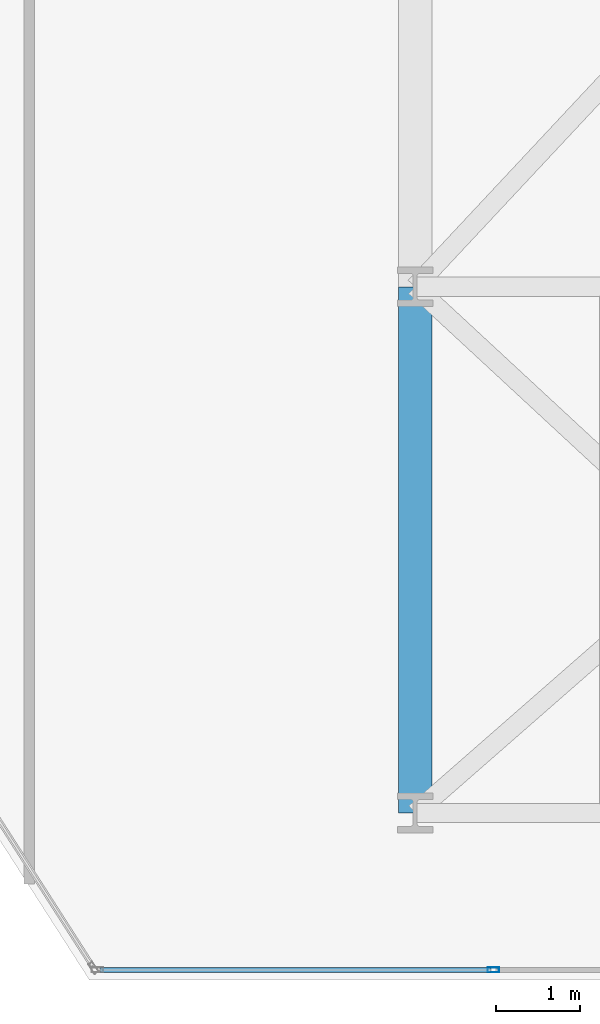
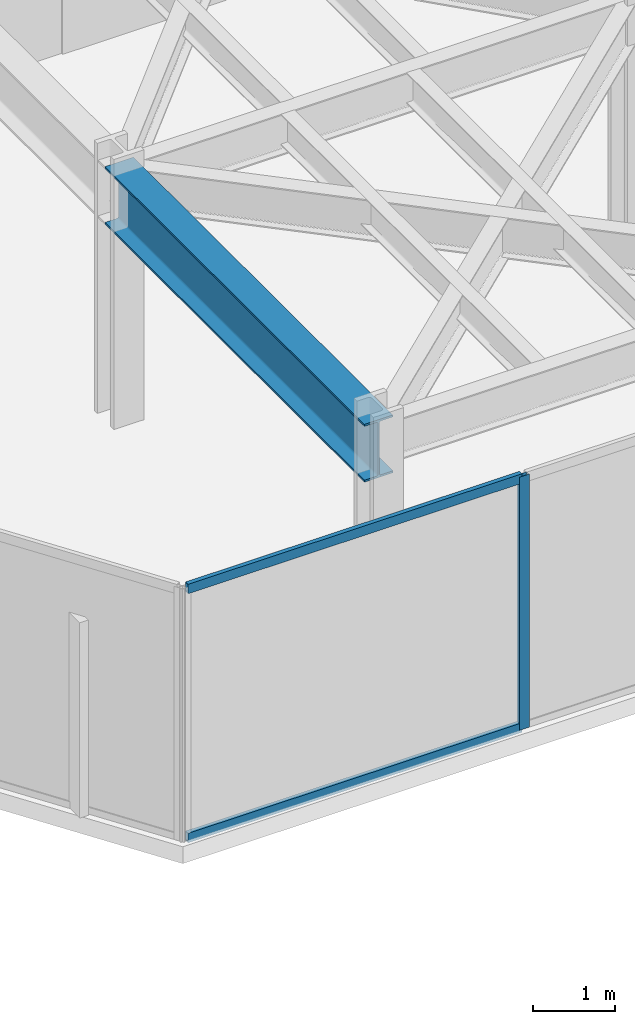
# One storey, part 16 of 26: 3 members, 1 beam, 1 element without a shape of its own.
"""IFC4 building model written with IfcOpenShell, lengths in metres."""

from ifc_helpers import new_model, si_unit, direction, frame, origin, origin_2d, place, context, subcontext, project, spatial, hollow_rectangle, i_section, extrude, material, layer, layer_set, material_profile, profile_set, type_object, element, aggregate, save


model = new_model("IFC4")

# Units and contexts
model_context = context("Model", 3, precision=1e-05, world=origin(), true_north=direction((0.0, 1.0)))
body_context = subcontext(model_context, "Body", "Model", "MODEL_VIEW")
ifc_project = project(units=[si_unit("LENGTHUNIT", "METRE"), si_unit("AREAUNIT", "SQUARE_METRE"), si_unit("VOLUMEUNIT", "CUBIC_METRE"), si_unit("PLANEANGLEUNIT", "RADIAN"), si_unit("MASSUNIT", "GRAM", prefix="KILO")], contexts=[model_context])

# Site, building, storey
site_placement = place(None, origin())
site = spatial("IfcSite", under=ifc_project, at=site_placement, CompositionType="ELEMENT")
building_placement = place(site_placement, origin())
building = spatial("IfcBuilding", under=site, at=building_placement, Name="Kravanh Interchange Tower", CompositionType="ELEMENT")
storey_placement = place(building_placement, frame((0.0, 0.0, 120.0)))
storey = spatial("IfcBuildingStorey", under=building, at=storey_placement, Name="L28", CompositionType="ELEMENT", Elevation=120.0)

# Curtain wall, members
ifc_material_1 = material(Name="Anodised Bronze Aluminium", Category="aluminium")
ifc_layer = layer(ifc_material_1, 0.179931640625)
ifc_layer_set = layer_set([ifc_layer], Name="Unitised Curtain Wall System CW-Z2 Mid Office")
curtain_wall_type = type_object("IfcCurtainWallType", Name="Unitised Curtain Wall System CW-Z2 Mid Office", PredefinedType="NOTDEFINED", material=ifc_layer_set)
curtain_wall_placement = place(storey_placement, origin())
curtain_wall = element("IfcCurtainWall", 1, at=curtain_wall_placement, inside=storey, type_object=curtain_wall_type, Name="L28 Unitised Curtain Wall CW-L28-03", PredefinedType="NOTDEFINED")
ifc_material_2 = material(Name="Anodised Bronze Aluminium", Category="aluminium")
ifc_material_profile_1 = material_profile(ifc_material_2, hollow_rectangle(XDim=0.06005859375, YDim=0.139892578125, WallThickness=0.00390625, at=origin_2d()), Name="ALU60X140X4")
ifc_profile_set_1 = profile_set([ifc_material_profile_1], Name="Anodised Bronze Aluminium")
member_type_1 = type_object("IfcMemberType", Name="Curtain Wall Mullion ALU60X140X4 Bronze", PredefinedType="MULLION", material=ifc_profile_set_1)
member_1_placement = place(storey_placement, frame((56.93798828125, 6.320068359375, 0.0), z_axis=(0.0, 0.0, 1.0), x_axis=(0.0, -1.0, 0.0)))
member_1 = element("IfcMember", 2, at=member_1_placement, type_object=member_type_1, Name="CW-Z2 mullion 2", PredefinedType="MULLION", context=body_context, shape_type="SweptSolid", body=[
    extrude(hollow_rectangle(XDim=0.06005859375, YDim=0.139892578125, WallThickness=0.00390625, at=origin_2d()), origin(), (0.0, 0.0, 1.0), 3.75),
])
ifc_material_3 = material(Name="Anodised Bronze Aluminium", Category="aluminium")
ifc_material_profile_2 = material_profile(ifc_material_3, hollow_rectangle(XDim=0.06005859375, YDim=0.139892578125, WallThickness=0.00390625, at=origin_2d()), Name="ALU60X140X4")
ifc_profile_set_2 = profile_set([ifc_material_profile_2], Name="Anodised Bronze Aluminium")
member_type_2 = type_object("IfcMemberType", Name="Curtain Wall Transom ALU60X140X4 Bronze", PredefinedType="USERDEFINED", material=ifc_profile_set_2)
member_2_placement = place(storey_placement, frame((56.907958984375, 6.320068359375, 0.030029296875), z_axis=(-1.0, 0.0, 0.0), x_axis=(0.0, -1.0, 0.0)))
member_2 = element("IfcMember", 3, at=member_2_placement, type_object=member_type_2, Name="CW-Z2 transom 2.1", ObjectType="TRANSOM", PredefinedType="USERDEFINED", context=body_context, shape_type="SweptSolid", body=[
    extrude(hollow_rectangle(XDim=0.06005859375, YDim=0.139892578125, WallThickness=0.00390625, at=origin_2d()), origin(), (0.0, 0.0, 1.0), 4.682373046875),
])
member_3_placement = place(storey_placement, frame((56.907958984375, 6.320068359375, 3.719970703125), z_axis=(-1.0, 0.0, 0.0), x_axis=(0.0, -1.0, 0.0)))
member_3 = element("IfcMember", 4, at=member_3_placement, type_object=member_type_2, Name="CW-Z2 transom 2.2", ObjectType="TRANSOM", PredefinedType="USERDEFINED", context=body_context, shape_type="SweptSolid", body=[
    extrude(hollow_rectangle(XDim=0.06005859375, YDim=0.139892578125, WallThickness=0.00390625, at=origin_2d()), origin(), (0.0, 0.0, 1.0), 4.682373046875),
])
aggregate(curtain_wall, [member_1, member_2, member_3])

# Beam
ifc_material_4 = material(Name="Structural Steel S355", Category="steel")
ifc_material_profile_3 = material_profile(ifc_material_4, i_section(OverallWidth=0.39990234375, OverallDepth=0.85595703125, WebThickness=0.018310546875, FlangeThickness=0.029296875, FilletRadius=0.02490234375, at=origin_2d()), Name="W33X201")
ifc_profile_set_3 = profile_set([ifc_material_profile_3], Name="Structural Steel S355")
beam_type = type_object("IfcBeamType", Name="Floor Beam W33X201 Structural Steel S355", PredefinedType="BEAM", material=ifc_profile_set_3)
beam_placement = place(storey_placement, frame((56.0, 8.199951171875, 3.322021484375), z_axis=(0.0, 1.0, 0.0), x_axis=(-1.0, 0.0, 0.0)))
element("IfcBeam", 5, at=beam_placement, inside=storey, type_object=beam_type, Name="L28 Primary Floor Girder 95", PredefinedType="BEAM", context=body_context, shape_type="SweptSolid", body=[
    extrude(i_section(OverallWidth=0.39990234375, OverallDepth=0.85595703125, WebThickness=0.018310546875, FlangeThickness=0.029296875, FilletRadius=0.02490234375, at=origin_2d()), origin(), (0.0, 0.0, 1.0), 6.300048828125),
])

save(model, "model.ifc")
